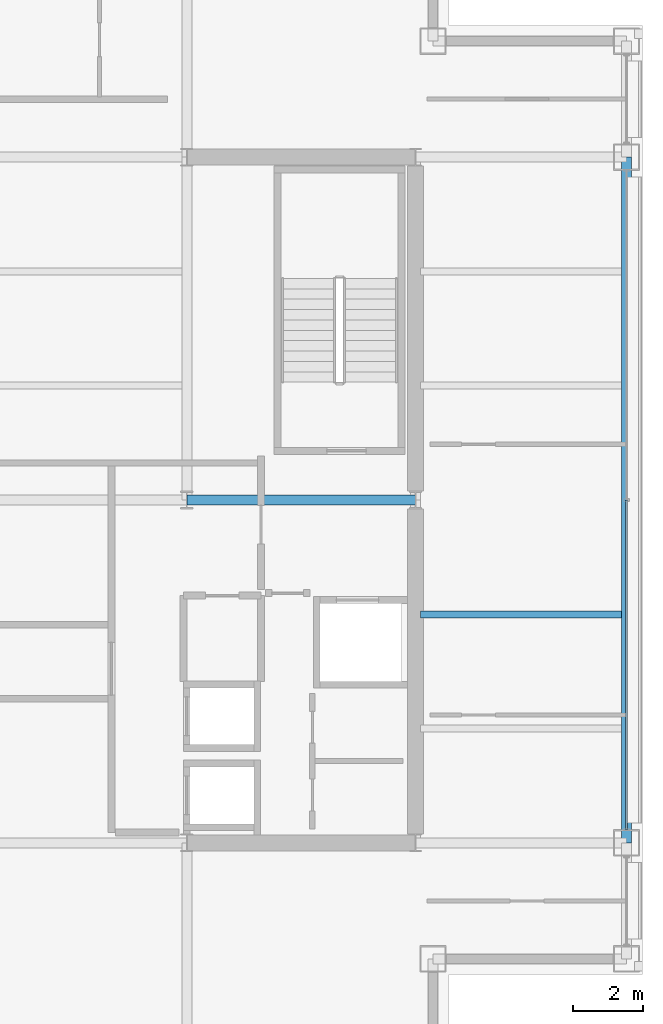
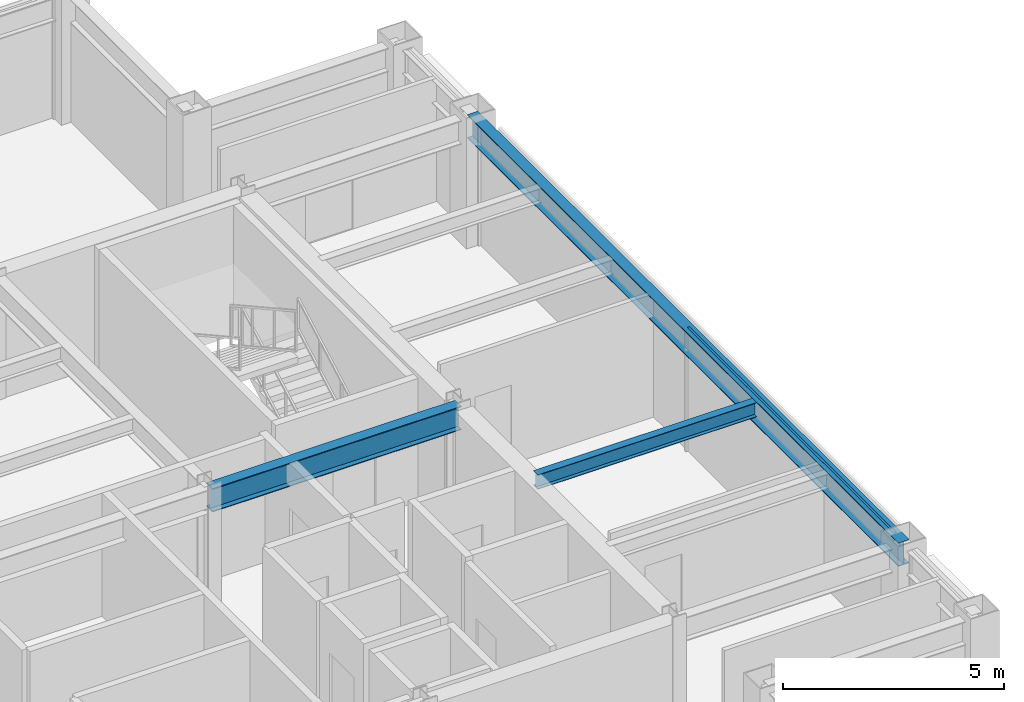
# One storey, part 14 of 30: 3 beams, 1 member, 1 element without a shape of its own.
"""IFC4 building model written with IfcOpenShell, lengths in metres."""

from ifc_helpers import new_model, si_unit, direction, frame, origin, origin_2d, place, context, subcontext, project, spatial, hollow_rectangle, i_section, extrude, material, layer, layer_set, material_profile, profile_set, type_object, element, aggregate, save


model = new_model("IFC4")

# Units and contexts
model_context = context("Model", 3, precision=1e-05, world=origin(), true_north=direction((0.0, 1.0)))
body_context = subcontext(model_context, "Body", "Model", "MODEL_VIEW")
ifc_project = project(units=[si_unit("LENGTHUNIT", "METRE"), si_unit("AREAUNIT", "SQUARE_METRE"), si_unit("VOLUMEUNIT", "CUBIC_METRE"), si_unit("PLANEANGLEUNIT", "RADIAN"), si_unit("MASSUNIT", "GRAM", prefix="KILO")], contexts=[model_context])

# Site, building, storey
site_placement = place(None, origin())
site = spatial("IfcSite", under=ifc_project, at=site_placement, CompositionType="ELEMENT")
building_placement = place(site_placement, origin())
building = spatial("IfcBuilding", under=site, at=building_placement, Name="Brelmoor Portico Tower", CompositionType="ELEMENT")
storey_placement = place(building_placement, frame((0.0, 0.0, 169.5)))
storey = spatial("IfcBuildingStorey", under=building, at=storey_placement, Name="L44", CompositionType="ELEMENT", Elevation=169.5)

# Beams
ifc_material_1 = material(Name="Steel Q355B", Category="steel")
ifc_material_profile_1 = material_profile(ifc_material_1, i_section(OverallWidth=0.199951171875, OverallDepth=0.39990234375, WebThickness=0.008056640625, FlangeThickness=0.012939453125, at=origin_2d()), Name="HN 400x200x8x13")
ifc_profile_set_1 = profile_set([ifc_material_profile_1], Name="Steel Q355B")
beam_type_1 = type_object("IfcBeamType", Name="BM-JS-400", PredefinedType="JOIST", material=ifc_profile_set_1)
beam_1_placement = place(storey_placement, frame((14.68994140625, -3.25, 3.199951171875), z_axis=(1.0, 0.0, 0.0), x_axis=(0.0, 1.0, 0.0)))
element("IfcBeam", 1, at=beam_1_placement, inside=storey, type_object=beam_type_1, Name="L44 Secondary Wing Joist JS-E10", PredefinedType="JOIST", context=body_context, shape_type="SweptSolid", body=[
    extrude(i_section(OverallWidth=0.199951171875, OverallDepth=0.39990234375, WebThickness=0.008056640625, FlangeThickness=0.012939453125, at=origin_2d()), origin(), (0.0, 0.0, 1.0), 5.719970703125),
])
ifc_material_profile_2 = material_profile(ifc_material_1, i_section(OverallWidth=0.280029296875, OverallDepth=0.64990234375, WebThickness=0.012939453125, FlangeThickness=0.02197265625, at=origin_2d()), Name="HN 650x280x13x22")
ifc_profile_set_2 = profile_set([ifc_material_profile_2], Name="Steel Q355B")
beam_type_2 = type_object("IfcBeamType", Name="BM-PG-650", PredefinedType="BEAM", material=ifc_profile_set_2)
beam_2_placement = place(storey_placement, frame((8.050048828125, 0.0, 3.074951171875), z_axis=(1.0, 0.0, 0.0), x_axis=(0.0, 1.0, 0.0)))
element("IfcBeam", 2, at=beam_2_placement, inside=storey, type_object=beam_type_2, Name="L44 Primary Floor Girder PG-18", PredefinedType="BEAM", context=body_context, shape_type="SweptSolid", body=[
    extrude(i_section(OverallWidth=0.280029296875, OverallDepth=0.64990234375, WebThickness=0.012939453125, FlangeThickness=0.02197265625, at=origin_2d()), origin(), (0.0, 0.0, 1.0), 6.5),
])
ifc_material_profile_3 = material_profile(ifc_material_1, i_section(OverallWidth=0.280029296875, OverallDepth=0.64990234375, WebThickness=0.012939453125, FlangeThickness=0.02197265625, at=origin_2d()), Name="HN 650x280x13x22")
ifc_profile_set_3 = profile_set([ifc_material_profile_3], Name="Steel Q355B")
beam_type_3 = type_object("IfcBeamType", Name="BM-SP-650", PredefinedType="SPANDREL", material=ifc_profile_set_3)
beam_3_placement = place(storey_placement, frame((20.550048828125, -9.75, 3.074951171875), z_axis=(0.0, 1.0, 0.0), x_axis=(-1.0, 0.0, 0.0)))
element("IfcBeam", 3, at=beam_3_placement, inside=storey, type_object=beam_type_3, Name="L44 Perimeter Spandrel Beam SP-19", PredefinedType="SPANDREL", context=body_context, shape_type="SweptSolid", body=[
    extrude(i_section(OverallWidth=0.280029296875, OverallDepth=0.64990234375, WebThickness=0.012939453125, FlangeThickness=0.02197265625, at=origin_2d()), origin(), (0.0, 0.0, 1.0), 19.5),
])

# Curtain wall, member
ifc_material_2 = material(Name="Anodised Aluminium Alloy 6063-T6", Category="aluminium")
ifc_layer = layer(ifc_material_2, 0.179931640625)
ifc_layer_set = layer_set([ifc_layer], Name="Anodised Aluminium Alloy 6063-T6")
curtain_wall_type = type_object("IfcCurtainWallType", Name="CW-TOWER-Z3-XB", PredefinedType="NOTDEFINED", material=ifc_layer_set)
curtain_wall_placement = place(storey_placement, origin())
curtain_wall = element("IfcCurtainWall", 4, at=curtain_wall_placement, inside=storey, type_object=curtain_wall_type, Name="L44 Curtain Wall CW-L44-04-2", PredefinedType="NOTDEFINED")
ifc_material_profile_4 = material_profile(ifc_material_2, hollow_rectangle(XDim=0.06005859375, YDim=0.125, WallThickness=0.00341796875, at=origin_2d()), Name="ALU TRANSOM 60x125")
ifc_profile_set_4 = profile_set([ifc_material_profile_4], Name="Anodised Aluminium Alloy 6063-T6")
member_type = type_object("IfcMemberType", Name="MB-CW-TRAN-125", PredefinedType="USERDEFINED", material=ifc_profile_set_4)
member_placement = place(storey_placement, frame((20.550048828125, -9.364990234375, 3.33740234375), z_axis=(0.0, 1.0, 0.0), x_axis=(-1.0, 0.0, 0.0)))
member = element("IfcMember", 5, at=member_placement, type_object=member_type, Name="CW-L44-04-2 Transom 1-00", ObjectType="TRANSOM", PredefinedType="USERDEFINED", context=body_context, shape_type="SweptSolid", body=[
    extrude(hollow_rectangle(XDim=0.06005859375, YDim=0.125, WallThickness=0.00341796875, at=origin_2d()), origin(), (0.0, 0.0, 1.0), 9.364990234375),
])
aggregate(curtain_wall, [member])

save(model, "model.ifc")
